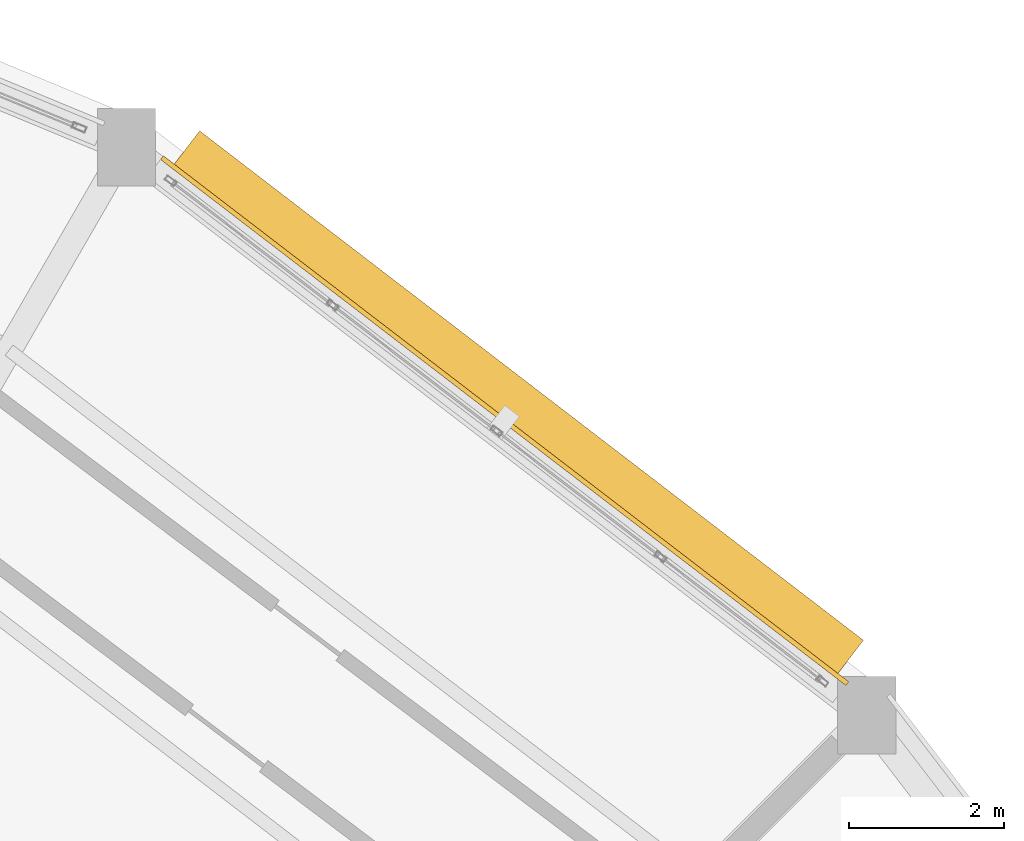
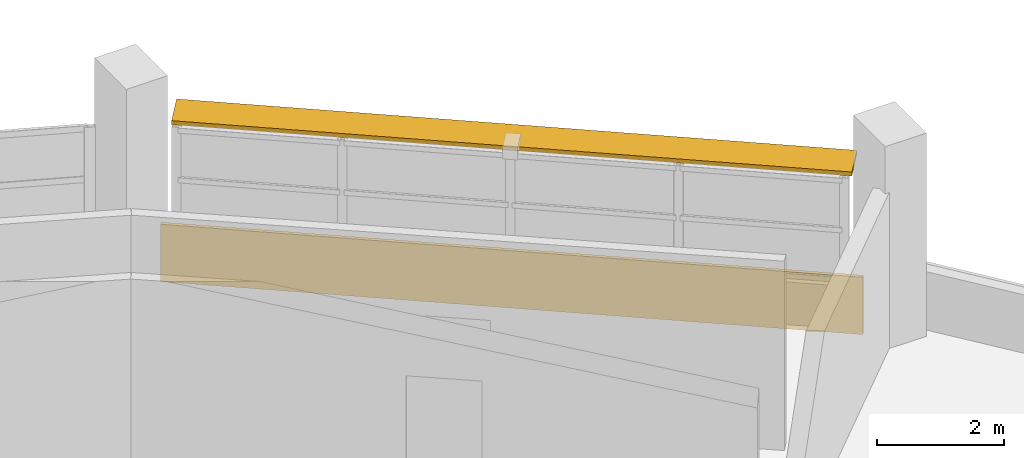
# One storey, part 88 of 88: 1 covering, 1 shading device.
"""IFC4 building model written with IfcOpenShell, lengths in metres."""

import ifcopenshell
import ifcopenshell.guid

model = None  # the IFC model being written
_history = None  # IfcOwnerHistory: only IFC2X3 demands one
_inside = {}  # id of a spatial element -> (the spatial element, [elements in it])
_under = {}  # id of a project, library or spatial element -> (it, [spatial elements below it])
_declared = {}  # id of a project -> (the project, [libraries it declares])
_typed = {}  # id of a type object -> (the type object, [elements of that type])
_made_of = {}  # id of a material, layer set ... -> (it, [elements and type objects made of it])


def new_model(schema):
    """Start an empty IFC model of exactly this schema.

    Asked for "IFC4X3", IfcOpenShell would pick the latest addendum, in which some entities
    have other attributes; the version numbers below select the first issue.
    IFC2X3 requires an IfcOwnerHistory on every rooted entity: one is made here for all.
    """
    global model, _history
    if schema == "IFC4X3":
        model = ifcopenshell.file(schema_version=(4, 3, 0, 0))
    else:
        model = ifcopenshell.file(schema=schema)
    _inside.clear()
    _under.clear()
    _declared.clear()
    _typed.clear()
    _made_of.clear()
    _history = None
    if model.schema == "IFC2X3":
        org = make("IfcOrganization", Name="unknown")
        user = make(
            "IfcPersonAndOrganization",
            ThePerson=make("IfcPerson", FamilyName="unknown"),
            TheOrganization=org,
        )
        app = make(
            "IfcApplication",
            ApplicationDeveloper=org,
            Version="unknown",
            ApplicationFullName="unknown",
            ApplicationIdentifier="unknown",
        )
        _history = make(
            "IfcOwnerHistory",
            OwningUser=user,
            OwningApplication=app,
            ChangeAction="ADDED",
            CreationDate=0,
        )
    return model


def make(cls, **values):
    """One entity of the class cls with the attributes given. An attribute that is None is left unset."""
    return model.create_entity(
        cls, **{name: value for name, value in values.items() if value is not None}
    )


def rooted(cls, **values):
    """An entity with a GlobalId (a new one), such as an element, a storey or a relation."""
    return make(cls, GlobalId=ifcopenshell.guid.new(), OwnerHistory=_history, **values)


def si_unit(unit_type, name, prefix=None):
    """IfcSIUnit, for example si_unit("LENGTHUNIT", "METRE", prefix="MILLI")."""
    return make("IfcSIUnit", UnitType=unit_type, Prefix=prefix, Name=name)


def assignment(units):
    """IfcUnitAssignment: the units of a project."""
    return None if units is None else make("IfcUnitAssignment", Units=units)


def point(xyz):
    """IfcCartesianPoint."""
    return None if xyz is None else make("IfcCartesianPoint", Coordinates=xyz)


def direction(xyz):
    """IfcDirection."""
    return None if xyz is None else make("IfcDirection", DirectionRatios=xyz)


def frame(location, z_axis=None, x_axis=None):
    """IfcAxis2Placement3D, a coordinate frame: its origin and axes. An axis left out is left unset."""
    return make(
        "IfcAxis2Placement3D",
        Location=point(location),
        Axis=direction(z_axis),
        RefDirection=direction(x_axis),
    )


def frame_2d(location, x_axis=None):
    """IfcAxis2Placement2D, a coordinate frame in the plane: its origin and x axis."""
    return make(
        "IfcAxis2Placement2D", Location=point(location), RefDirection=direction(x_axis)
    )


def origin():
    """The frame at (0, 0, 0) with its axes left unset."""
    return frame((0.0, 0.0, 0.0))


def origin_2d():
    """The frame at (0, 0) in the plane with its x axis left unset."""
    return frame_2d((0.0, 0.0))


def place(relative_to, where):
    """IfcLocalPlacement: puts the frame where relative to a parent placement (None: the world)."""
    return make(
        "IfcLocalPlacement", PlacementRelTo=relative_to, RelativePlacement=where
    )


def context(
    kind, dimensions, precision=None, world=None, true_north=None, identifier=None
):
    """IfcGeometricRepresentationContext, for example the 3D "Model" context."""
    return make(
        "IfcGeometricRepresentationContext",
        ContextIdentifier=identifier,
        ContextType=kind,
        CoordinateSpaceDimension=dimensions,
        Precision=precision,
        WorldCoordinateSystem=world,
        TrueNorth=true_north,
    )


def subcontext(parent, identifier, kind, view, scale=None):
    """IfcGeometricRepresentationSubContext, for example "Body" below "Model"."""
    return make(
        "IfcGeometricRepresentationSubContext",
        ContextIdentifier=identifier,
        ContextType=kind,
        ParentContext=parent,
        TargetScale=scale,
        TargetView=view,
    )


def project(units=None, contexts=None):
    """IfcProject with its units and contexts."""
    return rooted(
        "IfcProject",
        Name="project",
        RepresentationContexts=contexts,
        UnitsInContext=assignment(units),
    )


def spatial(cls, under=None, at=None, **own):
    """A site, building, storey or space (cls), placed at a placement, below another one or the project."""
    s = rooted(cls, ObjectPlacement=at, **own)
    if under is not None:
        _under.setdefault(under.id(), (under, []))[1].append(s)
    return s


def profile(cls, at=None, kind="AREA", **sizes):
    """A parametric profile (cls). Its sizes go by their IFC names, for example OverallWidth=200.0."""
    return make(cls, ProfileType=kind, Position=at, **sizes)


def rectangle(**sizes):
    """IfcRectangleProfileDef."""
    return profile("IfcRectangleProfileDef", **sizes)


def extrude(swept, where, along, depth):
    """IfcExtrudedAreaSolid: the profile swept, set in the frame where, extruded along a direction by depth."""
    return make(
        "IfcExtrudedAreaSolid",
        SweptArea=swept,
        Position=where,
        ExtrudedDirection=direction(along),
        Depth=depth,
    )


def shape(context_of_items, identifier, shape_type, items):
    """IfcShapeRepresentation: the items that make up one representation, for example the "Body"."""
    return make(
        "IfcShapeRepresentation",
        ContextOfItems=context_of_items,
        RepresentationIdentifier=identifier,
        RepresentationType=shape_type,
        Items=items,
    )


def material(Name=None, Category=None):
    """IfcMaterial."""
    return make("IfcMaterial", Name=Name, Category=Category)


def layer(
    of_material, thickness, ventilated=None, Name=None, Category=None, Priority=None
):
    """IfcMaterialLayer: one layer of a wall or slab, of a material (None: an air gap)."""
    return make(
        "IfcMaterialLayer",
        Material=of_material,
        LayerThickness=thickness,
        IsVentilated=ventilated,
        Name=Name,
        Category=Category,
        Priority=Priority,
    )


def layer_set(layers, Name=None):
    """IfcMaterialLayerSet."""
    return make("IfcMaterialLayerSet", MaterialLayers=layers, LayerSetName=Name)


def made_of(thing, what):
    """Note that an element or type object is made of a material, layer set ...; save() writes the relation."""
    if what is not None:
        _made_of.setdefault(what.id(), (what, []))[1].append(thing)
    return thing


def type_object(cls, material=None, **own):
    """A type object (cls), such as IfcWallType, which elements share."""
    return made_of(rooted(cls, **own), material)


def element(
    cls,
    number,
    at=None,
    inside=None,
    cuts=None,
    type_object=None,
    material=None,
    context=None,
    identifier="Body",
    shape_type=None,
    held_by="IfcProductDefinitionShape",
    body=None,
    shapes=None,
    **own,
):
    """One element of the class cls, such as IfcWall. Its Tag is "e" and its number.

    at: its placement. inside: the storey or other place that contains it. cuts: it is an
    opening in that element (IfcRelVoidsElement). A single representation is given by context,
    identifier, shape_type and body (its items); several are given by shapes. held_by: the class
    of the entity that holds the representations. save() writes the other relations.
    """
    e = rooted(cls, Tag="e%d" % number, ObjectPlacement=at, **own)
    if body is not None:
        shapes = [shape(context, identifier, shape_type, body)]
    if shapes is not None:
        e.Representation = make(held_by, Representations=shapes)
    if inside is not None:
        _inside.setdefault(inside.id(), (inside, []))[1].append(e)
    if cuts is not None:
        rooted(
            "IfcRelVoidsElement", RelatingBuildingElement=cuts, RelatedOpeningElement=e
        )
    if type_object is not None:
        _typed.setdefault(type_object.id(), (type_object, []))[1].append(e)
    return made_of(e, material)


def aggregate(whole, parts):
    """IfcRelAggregates: a whole, such as a stair, and the parts it consists of."""
    return rooted("IfcRelAggregates", RelatingObject=whole, RelatedObjects=parts)


def save(model, path):
    """Write the relations noted so far, then the file.

    IfcRelAggregates (storeys below a building ...), IfcRelContainedInSpatialStructure (elements
    in a storey), IfcRelDefinesByType, IfcRelAssociatesMaterial and IfcRelDeclares: one each for
    every whole, place, type object, material and project.
    """
    for whole, parts in _under.values():
        aggregate(whole, parts)
    for where, things in _inside.values():
        rooted(
            "IfcRelContainedInSpatialStructure",
            RelatedElements=things,
            RelatingStructure=where,
        )
    for kind, things in _typed.values():
        rooted("IfcRelDefinesByType", RelatedObjects=things, RelatingType=kind)
    for what, things in _made_of.values():
        rooted("IfcRelAssociatesMaterial", RelatedObjects=things, RelatingMaterial=what)
    for by, libraries in _declared.values():
        rooted("IfcRelDeclares", RelatingContext=by, RelatedDefinitions=libraries)
    model.write(path)


model = new_model("IFC4")

# Units and contexts
model_context = context("Model", 3, precision=1e-05, world=origin(), true_north=direction((0.0, 1.0)))
body_context = subcontext(model_context, "Body", "Model", "MODEL_VIEW")
ifc_project = project(units=[si_unit("LENGTHUNIT", "METRE"), si_unit("AREAUNIT", "SQUARE_METRE"), si_unit("VOLUMEUNIT", "CUBIC_METRE"), si_unit("PLANEANGLEUNIT", "RADIAN"), si_unit("MASSUNIT", "GRAM", prefix="KILO")], contexts=[model_context])

# Site, building, storey
site_placement = place(None, origin())
site = spatial("IfcSite", under=ifc_project, at=site_placement, CompositionType="ELEMENT")
building_placement = place(site_placement, origin())
building = spatial("IfcBuilding", under=site, at=building_placement, Name="Vespera Passage Community Centre", CompositionType="ELEMENT")
storey_placement = place(building_placement, frame((0.0, 0.0, 16.5)))
storey = spatial("IfcBuildingStorey", under=building, at=storey_placement, Name="L04", CompositionType="ELEMENT", Elevation=16.5)

# Covering
ifc_material_1 = material(Name="Precast concrete f'c 40 MPa", Category="concrete")
ifc_layer = layer(ifc_material_1, 0.06005859375)
ifc_layer_set = layer_set([ifc_layer], Name="Precast concrete f'c 40 MPa")
covering_type = type_object("IfcCoveringType", Name="COV-CLAD-60E", PredefinedType="CLADDING", material=ifc_layer_set)
covering_placement = place(storey_placement, frame((101.5087890625, 105.2861328125, -0.280029296875), z_axis=(0.0, 0.0, 1.0), x_axis=(0.793342066679, -0.608776120785, 0.0)))
element("IfcCovering", 1, at=covering_placement, inside=storey, type_object=covering_type, Name="V4 L04 Outer White Spandrel Band O3", PredefinedType="CLADDING", context=body_context, shape_type="SweptSolid", body=[
    extrude(rectangle(XDim=11.13916015625, YDim=0.06005859375, at=frame_2d((5.569580078125, 0.0))), origin(), (0.0, 0.0, 1.0), 1.10009765625),
])

# Shading device
ifc_material_2 = material(Name="Anodized aluminium 6063-T6", Category="aluminium")
shading_device_type = type_object("IfcShadingDeviceType", Name="SHD-EYEBROW", PredefinedType="JALOUSIE", material=ifc_material_2)
shading_device_placement = place(storey_placement, frame((106.091796875, 102.10986328125, 2.74560546875), z_axis=(0.0, 0.0, 1.0), x_axis=(0.793342715279, -0.608775275544, 0.0)))
element("IfcShadingDevice", 2, at=shading_device_placement, inside=storey, type_object=shading_device_type, Name="V4 L04 Outer Solar Eyebrow 3", PredefinedType="JALOUSIE", context=body_context, shape_type="SweptSolid", body=[
    extrude(rectangle(XDim=10.789306640625, YDim=0.60009765625, at=origin_2d()), origin(), (0.0, 0.0, 1.0), 0.080078125),
])

save(model, "model.ifc")
